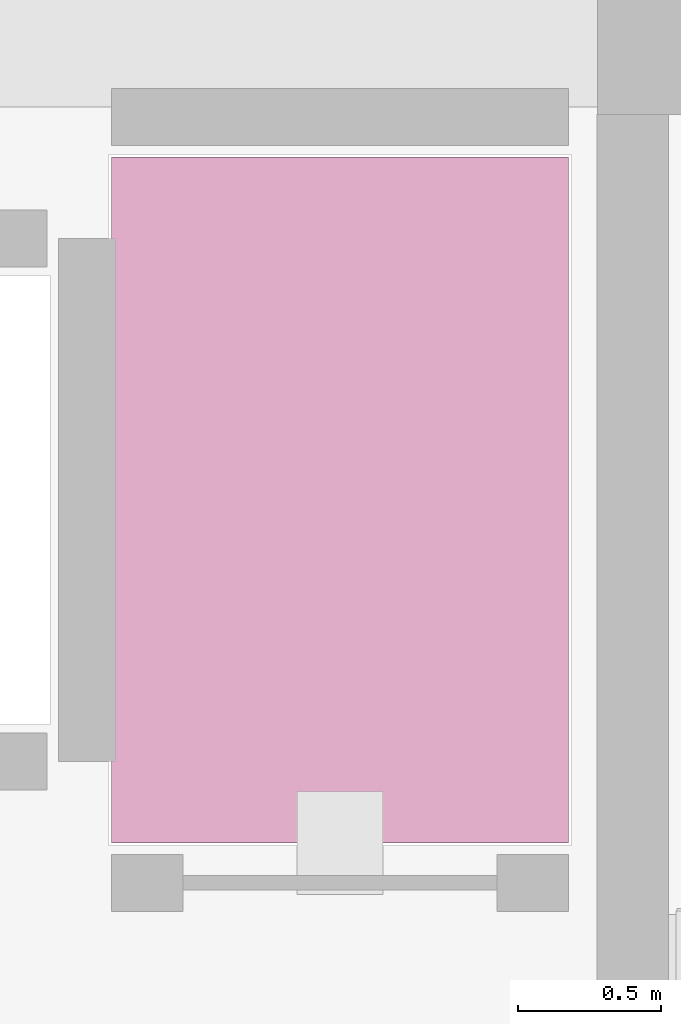
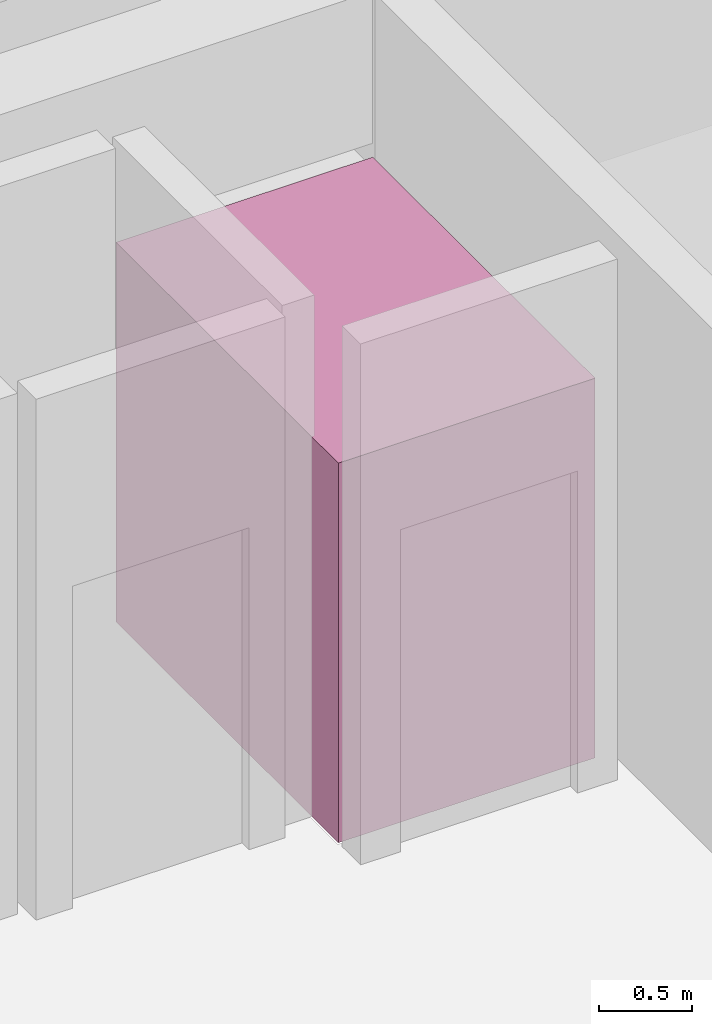
# One storey, part 18 of 18: 1 transport element.
"""IFC4 building model written with IfcOpenShell, lengths in metres."""

from ifc_helpers import new_model, si_unit, direction, frame, origin, origin_2d, place, context, subcontext, project, spatial, rectangle, extrude, source, transform, mapped, material, type_object, element, save


model = new_model("IFC4")

# Units and contexts
model_context = context("Model", 3, precision=1e-05, world=origin(), true_north=direction((0.0, 1.0)))
body_context = subcontext(model_context, "Body", "Model", "MODEL_VIEW")
ifc_project = project(units=[si_unit("LENGTHUNIT", "METRE"), si_unit("AREAUNIT", "SQUARE_METRE"), si_unit("VOLUMEUNIT", "CUBIC_METRE"), si_unit("PLANEANGLEUNIT", "RADIAN"), si_unit("MASSUNIT", "GRAM", prefix="KILO")], contexts=[model_context])

# Site, building, storey
site_placement = place(None, origin())
site = spatial("IfcSite", under=ifc_project, at=site_placement, CompositionType="ELEMENT")
building_placement = place(site_placement, origin())
building = spatial("IfcBuilding", under=site, at=building_placement, Name="Kaliganga Portal Commons", CompositionType="ELEMENT")
storey_placement = place(building_placement, frame((0.0, 0.0, 123.0)))
storey = spatial("IfcBuildingStorey", under=building, at=storey_placement, Name="L31", CompositionType="ELEMENT", Elevation=123.0)

# Transport element
ifc_material = material(Name="Stainless Steel 316 Lift Car Assembly", Category="steel")
transport_element_type = type_object("IfcTransportElementType", Name="XPT-ELEV-PASS", PredefinedType="ELEVATOR", material=ifc_material)
shared_shape = source(origin(), body_context, "Body", "SweptSolid", [
    extrude(rectangle(XDim=1.60009765625, YDim=2.39990234375, at=origin_2d()), origin(), (0.0, 0.0, 1.0), 2.5),
])
transport_element_placement = place(storey_placement, frame((45.949951171875, 12.949951171875, 0.0), z_axis=(0.0, 0.0, 1.0), x_axis=(1.0, 0.0, 0.0)))
element("IfcTransportElement", 1, at=transport_element_placement, inside=storey, type_object=transport_element_type, Name="Passenger Lift SL-B1", PredefinedType="ELEVATOR", context=body_context, shape_type="MappedRepresentation", body=[
    mapped(shared_shape, transform((0.0, 0.0, 0.0), x_axis=(1.0, 0.0, 0.0), y_axis=(0.0, 1.0, 0.0), z_axis=(0.0, 0.0, 1.0), scale=1.0)),
])

save(model, "model.ifc")
